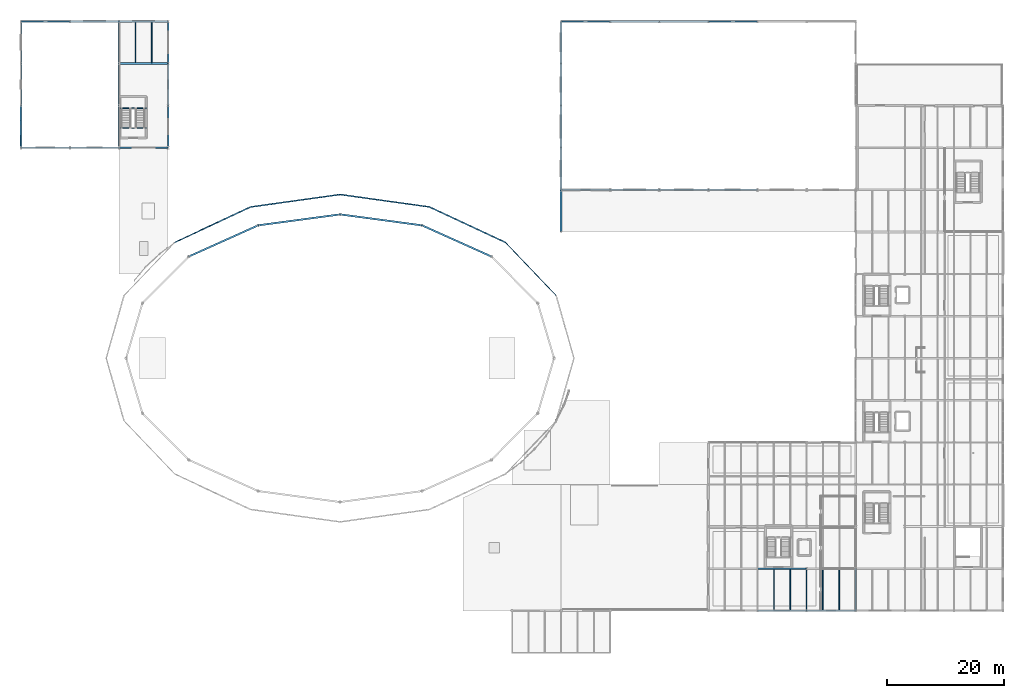
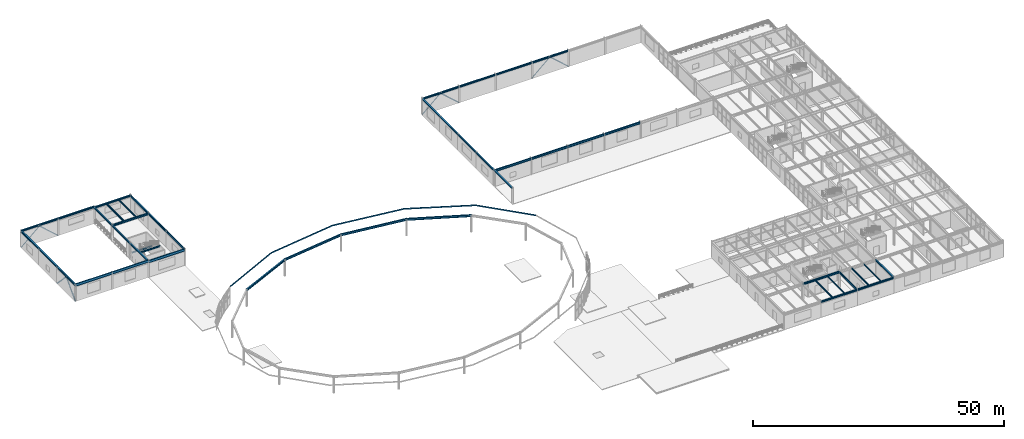
# One storey, part 29 of 73: 51 beams, 8 members.
"""IFC4 building model written with IfcOpenShell, lengths in metres."""

from ifc_helpers import new_model, si_unit, derived_unit, direction, frame, origin, origin_2d, place, context, subcontext, project, spatial, hollow_rectangle, i_section, extrude, material, material_profile, profile_set, type_object, element, save


model = new_model("IFC4")

# Units and contexts
model_context = context("Model", 3, precision=1e-05, world=origin(), true_north=direction((0.0, 1.0)))
body_context = subcontext(model_context, "Body", "Model", "MODEL_VIEW")
ifc_project = project(units=[si_unit("LENGTHUNIT", "METRE"), si_unit("AREAUNIT", "SQUARE_METRE"), si_unit("VOLUMEUNIT", "CUBIC_METRE"), si_unit("PLANEANGLEUNIT", "RADIAN"), si_unit("MASSUNIT", "GRAM", prefix="KILO"), derived_unit("THERMALTRANSMITTANCEUNIT", [(si_unit("MASSUNIT", "GRAM", prefix="KILO"), 1), (si_unit("TIMEUNIT", "SECOND"), -3), (si_unit("THERMODYNAMICTEMPERATUREUNIT", "KELVIN"), -1)])], contexts=[model_context])

# Site, building, storey
site_placement = place(None, origin())
site = spatial("IfcSite", under=ifc_project, at=site_placement, CompositionType="ELEMENT")
building_placement = place(site_placement, origin())
building = spatial("IfcBuilding", under=site, at=building_placement, Name="Kharveza Railside Sports Centre", CompositionType="ELEMENT")
storey_placement = place(building_placement, frame((0.0, 0.0, 8.699951171875)))
storey = spatial("IfcBuildingStorey", under=building, at=storey_placement, Name="L02", CompositionType="ELEMENT", Elevation=8.699951171875)

# Beams
ifc_material = material(Name="Steel S355J2", Category="steel")
ifc_material_profile_1 = material_profile(ifc_material, i_section(OverallWidth=0.219970703125, OverallDepth=0.60009765625, WebThickness=0.011962890625, FlangeThickness=0.01904296875, FilletRadius=0.02392578125, at=origin_2d()), Name="IPE 600")
ifc_profile_set_1 = profile_set([ifc_material_profile_1], Name="Steel S355J2")
beam_type_1 = type_object("IfcBeamType", Name="BM-G01", PredefinedType="T_BEAM", material=ifc_profile_set_1)
beam_1_placement = place(storey_placement, frame((0.0, 86.39990234375, 3.900146484375), z_axis=(1.0, 0.0, 0.0), x_axis=(0.0, 1.0, 0.0)))
element("IfcBeam", 1, at=beam_1_placement, inside=storey, type_object=beam_type_1, Name="BM-EW-L02-B01-X0-Y864", PredefinedType="T_BEAM", context=body_context, shape_type="SweptSolid", body=[
    extrude(i_section(OverallWidth=0.219970703125, OverallDepth=0.60009765625, WebThickness=0.011962890625, FlangeThickness=0.01904296875, FilletRadius=0.02392578125, at=origin_2d()), origin(), (0.0, 0.0, 1.0), 8.39990234375),
])
beam_2_placement = place(storey_placement, frame((8.39990234375, 86.39990234375, 3.900146484375), z_axis=(1.0, 0.0, 0.0), x_axis=(0.0, 1.0, 0.0)))
element("IfcBeam", 2, at=beam_2_placement, inside=storey, type_object=beam_type_1, Name="BM-EW-L02-B01-X84-Y864", PredefinedType="T_BEAM", context=body_context, shape_type="SweptSolid", body=[
    extrude(i_section(OverallWidth=0.219970703125, OverallDepth=0.60009765625, WebThickness=0.011962890625, FlangeThickness=0.01904296875, FilletRadius=0.02392578125, at=origin_2d()), origin(), (0.0, 0.0, 1.0), 8.400146484375),
])
beam_3_placement = place(storey_placement, frame((16.800048828125, 86.39990234375, 3.699951171875), z_axis=(1.0, 0.0, 0.0), x_axis=(0.0, 1.0, 0.0)))
element("IfcBeam", 3, at=beam_3_placement, inside=storey, type_object=beam_type_1, Name="BM-EW-L02-B01-X168-Y864", PredefinedType="T_BEAM", context=body_context, shape_type="SweptSolid", body=[
    extrude(i_section(OverallWidth=0.219970703125, OverallDepth=0.60009765625, WebThickness=0.011962890625, FlangeThickness=0.01904296875, FilletRadius=0.02392578125, at=origin_2d()), origin(), (0.0, 0.0, 1.0), 8.39990234375),
])
ifc_material_profile_2 = material_profile(ifc_material, i_section(OverallWidth=0.199951171875, OverallDepth=0.5, WebThickness=0.01025390625, FlangeThickness=0.01611328125, FilletRadius=0.02099609375, at=origin_2d()), Name="IPE 500")
ifc_profile_set_2 = profile_set([ifc_material_profile_2], Name="Steel S355J2")
beam_type_2 = type_object("IfcBeamType", Name="BM-G03", PredefinedType="T_BEAM", material=ifc_profile_set_2)
beam_4_placement = place(storey_placement, frame((25.199951171875, 86.39990234375, 3.75), z_axis=(0.0, 1.0, 0.0), x_axis=(-1.0, 0.0, 0.0)))
element("IfcBeam", 4, at=beam_4_placement, inside=storey, type_object=beam_type_2, Name="BM-NS-L02-B03-X252-Y864", PredefinedType="T_BEAM", context=body_context, shape_type="SweptSolid", body=[
    extrude(i_section(OverallWidth=0.199951171875, OverallDepth=0.5, WebThickness=0.01025390625, FlangeThickness=0.01611328125, FilletRadius=0.02099609375, at=origin_2d()), origin(), (0.0, 0.0, 1.0), 7.2001953125),
])
for number, where, z_axis, x_axis, name in (
    (5, (25.199951171875, 93.60009765625, 3.75), (0.0, 1.0, 0.0), (-1.0, 0.0, 0.0), "BM-NS-L02-B03-X252-Y936"),
    (6, (25.199951171875, 100.800048828125, 3.75), (0.0, 1.0, 0.0), (-1.0, 0.0, 0.0), "BM-NS-L02-B03-X252-Y1008"),
):
    element("IfcBeam", number, at=place(storey_placement, frame(where, z_axis=z_axis, x_axis=x_axis)), inside=storey, type_object=beam_type_2, Name=name, PredefinedType="T_BEAM", context=body_context, shape_type="SweptSolid", body=[
        extrude(i_section(OverallWidth=0.199951171875, OverallDepth=0.5, WebThickness=0.01025390625, FlangeThickness=0.01611328125, FilletRadius=0.02099609375, at=origin_2d()), origin(), (0.0, 0.0, 1.0), 7.199951171875),
    ])
ifc_material_profile_3 = material_profile(ifc_material, i_section(OverallWidth=0.18994140625, OverallDepth=0.449951171875, WebThickness=0.009521484375, FlangeThickness=0.0146484375, FilletRadius=0.02099609375, at=origin_2d()), Name="IPE 450")
ifc_profile_set_3 = profile_set([ifc_material_profile_3], Name="Steel S355J2")
beam_type_3 = type_object("IfcBeamType", Name="BM-G04", PredefinedType="T_BEAM", material=ifc_profile_set_3)
beam_5_placement = place(storey_placement, frame((134.39990234375, 7.199951171875, 3.695068359375), z_axis=(0.0, 1.0, 0.0), x_axis=(-1.0, 0.0, 0.0)))
element("IfcBeam", 7, at=beam_5_placement, inside=storey, type_object=beam_type_3, Name="BM-NS-L02-B04-X1344-Y72", PredefinedType="T_BEAM", context=body_context, shape_type="SweptSolid", body=[
    extrude(i_section(OverallWidth=0.18994140625, OverallDepth=0.449951171875, WebThickness=0.009521484375, FlangeThickness=0.0146484375, FilletRadius=0.02099609375, at=origin_2d()), origin(), (0.0, 0.0, 1.0), 7.199951171875),
])
ifc_material_profile_4 = material_profile(ifc_material, i_section(OverallWidth=0.300048828125, OverallDepth=0.5, WebThickness=0.014404296875, FlangeThickness=0.028076171875, FilletRadius=0.027099609375, at=origin_2d()), Name="HEB 500")
ifc_profile_set_4 = profile_set([ifc_material_profile_4], Name="Steel S355J2")
beam_type_4 = type_object("IfcBeamType", Name="BM-G05", PredefinedType="T_BEAM", material=ifc_profile_set_4)
beam_6_placement = place(storey_placement, frame((92.39990234375, 79.199951171875, 3.75), z_axis=(1.0, 0.0, 0.0), x_axis=(0.0, 1.0, 0.0)))
element("IfcBeam", 8, at=beam_6_placement, inside=storey, type_object=beam_type_4, Name="BM-EW-L02-B05-X924-Y792", PredefinedType="T_BEAM", context=body_context, shape_type="SweptSolid", body=[
    extrude(i_section(OverallWidth=0.300048828125, OverallDepth=0.5, WebThickness=0.014404296875, FlangeThickness=0.028076171875, FilletRadius=0.027099609375, at=origin_2d()), origin(), (0.0, 0.0, 1.0), 8.400146484375),
])
beam_7_placement = place(storey_placement, frame((100.800048828125, 79.199951171875, 3.75), z_axis=(1.0, 0.0, 0.0), x_axis=(0.0, 1.0, 0.0)))
element("IfcBeam", 9, at=beam_7_placement, inside=storey, type_object=beam_type_4, Name="BM-EW-L02-B05-X1008-Y792", PredefinedType="T_BEAM", context=body_context, shape_type="SweptSolid", body=[
    extrude(i_section(OverallWidth=0.300048828125, OverallDepth=0.5, WebThickness=0.014404296875, FlangeThickness=0.028076171875, FilletRadius=0.027099609375, at=origin_2d()), origin(), (0.0, 0.0, 1.0), 8.39990234375),
])
beam_8_placement = place(storey_placement, frame((109.199951171875, 79.199951171875, 3.75), z_axis=(1.0, 0.0, 0.0), x_axis=(0.0, 1.0, 0.0)))
element("IfcBeam", 10, at=beam_8_placement, inside=storey, type_object=beam_type_4, Name="BM-EW-L02-B05-X1092-Y792", PredefinedType="T_BEAM", context=body_context, shape_type="SweptSolid", body=[
    extrude(i_section(OverallWidth=0.300048828125, OverallDepth=0.5, WebThickness=0.014404296875, FlangeThickness=0.028076171875, FilletRadius=0.027099609375, at=origin_2d()), origin(), (0.0, 0.0, 1.0), 8.400146484375),
])
beam_9_placement = place(storey_placement, frame((117.60009765625, 79.199951171875, 3.75), z_axis=(1.0, 0.0, 0.0), x_axis=(0.0, 1.0, 0.0)))
element("IfcBeam", 11, at=beam_9_placement, inside=storey, type_object=beam_type_4, Name="BM-EW-L02-B05-X1176-Y792", PredefinedType="T_BEAM", context=body_context, shape_type="SweptSolid", body=[
    extrude(i_section(OverallWidth=0.300048828125, OverallDepth=0.5, WebThickness=0.014404296875, FlangeThickness=0.028076171875, FilletRadius=0.027099609375, at=origin_2d()), origin(), (0.0, 0.0, 1.0), 8.39990234375),
])
ifc_material_profile_5 = material_profile(ifc_material, i_section(OverallWidth=0.300048828125, OverallDepth=0.449951171875, WebThickness=0.013916015625, FlangeThickness=0.02587890625, FilletRadius=0.027099609375, at=origin_2d()), Name="HEB 450")
ifc_profile_set_5 = profile_set([ifc_material_profile_5], Name="Steel S355J2")
beam_type_5 = type_object("IfcBeamType", Name="BM-G06", PredefinedType="T_BEAM", material=ifc_profile_set_5)
for number, where, z_axis, x_axis, name in (
    (12, (16.800048828125, 100.800048828125, 3.775146484375), (1.0, 0.0, 0.0), (0.0, 1.0, 0.0), "BM-EW-L02-B06-X168-Y1008"),
    (13, (126.0, 14.39990234375, 3.695068359375), (1.0, 0.0, 0.0), (0.0, 1.0, 0.0), "BM-EW-L02-B06-X1260-Y144"),
):
    element("IfcBeam", number, at=place(storey_placement, frame(where, z_axis=z_axis, x_axis=x_axis)), inside=storey, type_object=beam_type_5, Name=name, PredefinedType="T_BEAM", context=body_context, shape_type="SweptSolid", body=[
        extrude(i_section(OverallWidth=0.300048828125, OverallDepth=0.449951171875, WebThickness=0.013916015625, FlangeThickness=0.02587890625, FilletRadius=0.027099609375, at=origin_2d()), origin(), (0.0, 0.0, 1.0), 8.39990234375),
    ])
ifc_material_profile_6 = material_profile(ifc_material, i_section(OverallWidth=0.300048828125, OverallDepth=0.489990234375, WebThickness=0.011962890625, FlangeThickness=0.02294921875, FilletRadius=0.027099609375, at=origin_2d()), Name="HEA 500")
ifc_profile_set_6 = profile_set([ifc_material_profile_6], Name="Steel S355J2")
beam_type_6 = type_object("IfcBeamType", Name="BM-G08", PredefinedType="T_BEAM", material=ifc_profile_set_6)
beam_10_placement = place(storey_placement, frame((80.47998046875, 67.794921875, 3.949951171875), z_axis=(-0.912228335917, 0.409682148928, 0.0), x_axis=(-0.409682148928, -0.912228335917, 0.0)))
element("IfcBeam", 14, at=beam_10_placement, inside=storey, type_object=beam_type_6, Name="BM-DRING-L02-03", PredefinedType="T_BEAM", context=body_context, shape_type="SweptSolid", body=[
    extrude(i_section(OverallWidth=0.300048828125, OverallDepth=0.489990234375, WebThickness=0.011962890625, FlangeThickness=0.02294921875, FilletRadius=0.027099609375, at=origin_2d()), origin(), (0.0, 0.0, 1.0), 13.016357421875),
])
beam_11_placement = place(storey_placement, frame((68.606201171875, 73.12744140625, 3.949951171875), z_axis=(-0.99118075907, 0.132516802142, 0.0), x_axis=(-0.132516802142, -0.99118075907, 0.0)))
element("IfcBeam", 15, at=beam_11_placement, inside=storey, type_object=beam_type_6, Name="BM-DRING-L02-04", PredefinedType="T_BEAM", context=body_context, shape_type="SweptSolid", body=[
    extrude(i_section(OverallWidth=0.300048828125, OverallDepth=0.489990234375, WebThickness=0.011962890625, FlangeThickness=0.02294921875, FilletRadius=0.027099609375, at=origin_2d()), origin(), (0.0, 0.0, 1.0), 14.130615234375),
])
beam_12_placement = place(storey_placement, frame((54.60009765625, 75.0, 3.949951171875), z_axis=(-0.991181062463, -0.132514532841, 0.0), x_axis=(0.132514532841, -0.991181062463, 0.0)))
element("IfcBeam", 16, at=beam_12_placement, inside=storey, type_object=beam_type_6, Name="BM-DRING-L02-05", PredefinedType="T_BEAM", context=body_context, shape_type="SweptSolid", body=[
    extrude(i_section(OverallWidth=0.300048828125, OverallDepth=0.489990234375, WebThickness=0.011962890625, FlangeThickness=0.02294921875, FilletRadius=0.027099609375, at=origin_2d()), origin(), (0.0, 0.0, 1.0), 14.130859375),
])
beam_13_placement = place(storey_placement, frame((40.59375, 73.12744140625, 3.949951171875), z_axis=(-0.912228335917, -0.409682148928, 0.0), x_axis=(0.409682148928, -0.912228335917, 0.0)))
element("IfcBeam", 17, at=beam_13_placement, inside=storey, type_object=beam_type_6, Name="BM-DRING-L02-06", PredefinedType="T_BEAM", context=body_context, shape_type="SweptSolid", body=[
    extrude(i_section(OverallWidth=0.300048828125, OverallDepth=0.489990234375, WebThickness=0.011962890625, FlangeThickness=0.02294921875, FilletRadius=0.027099609375, at=origin_2d()), origin(), (0.0, 0.0, 1.0), 13.016357421875),
])
ifc_material_profile_7 = material_profile(ifc_material, i_section(OverallWidth=0.179931640625, OverallDepth=0.39990234375, WebThickness=0.008544921875, FlangeThickness=0.013427734375, FilletRadius=0.02099609375, at=origin_2d()), Name="IPE 400")
ifc_profile_set_7 = profile_set([ifc_material_profile_7], Name="Steel S355J2")
beam_type_7 = type_object("IfcBeamType", Name="BM-S01", PredefinedType="BEAM", material=ifc_profile_set_7)
for number, where, z_axis, x_axis, name in (
    (18, (19.60009765625, 100.947021484375, 3.800048828125), (0.0, 1.0, 0.0), (-1.0, 0.0, 0.0), "BM-SEC-L02-B09-X196-Y1008"),
    (19, (128.800048828125, 7.346923828125, 3.719970703125), (0.0, 1.0, 0.0), (-1.0, 0.0, 0.0), "BM-SEC-L02-B09-X1288-Y72"),
):
    element("IfcBeam", number, at=place(storey_placement, frame(where, z_axis=z_axis, x_axis=x_axis)), inside=storey, type_object=beam_type_7, Name=name, PredefinedType="BEAM", context=body_context, shape_type="SweptSolid", body=[
        extrude(i_section(OverallWidth=0.179931640625, OverallDepth=0.39990234375, WebThickness=0.008544921875, FlangeThickness=0.013427734375, FilletRadius=0.02099609375, at=origin_2d()), origin(), (0.0, 0.0, 1.0), 6.906005859375),
    ])
ifc_material_profile_8 = material_profile(ifc_material, i_section(OverallWidth=0.169921875, OverallDepth=0.360107421875, WebThickness=0.008056640625, FlangeThickness=0.0126953125, FilletRadius=0.01806640625, at=origin_2d()), Name="IPE 360")
ifc_profile_set_8 = profile_set([ifc_material_profile_8], Name="Steel S355J2")
beam_type_8 = type_object("IfcBeamType", Name="BM-S02", PredefinedType="BEAM", material=ifc_profile_set_8)
beam_14_placement = place(storey_placement, frame((137.199951171875, 7.346923828125, 3.739990234375), z_axis=(0.0, 1.0, 0.0), x_axis=(-1.0, 0.0, 0.0)))
element("IfcBeam", 20, at=beam_14_placement, inside=storey, type_object=beam_type_8, Name="BM-SEC-L02-B10-X1372-Y72", PredefinedType="BEAM", context=body_context, shape_type="SweptSolid", body=[
    extrude(i_section(OverallWidth=0.169921875, OverallDepth=0.360107421875, WebThickness=0.008056640625, FlangeThickness=0.0126953125, FilletRadius=0.01806640625, at=origin_2d()), origin(), (0.0, 0.0, 1.0), 6.906005859375),
])
ifc_material_profile_9 = material_profile(ifc_material, i_section(OverallWidth=0.159912109375, OverallDepth=0.330078125, WebThickness=0.007568359375, FlangeThickness=0.011474609375, FilletRadius=0.01806640625, at=origin_2d()), Name="IPE 330")
ifc_profile_set_9 = profile_set([ifc_material_profile_9], Name="Steel S355J2")
beam_type_9 = type_object("IfcBeamType", Name="BM-S03", PredefinedType="BEAM", material=ifc_profile_set_9)
for number, where, z_axis, x_axis, name in (
    (21, (22.39990234375, 100.947021484375, 3.8349609375), (0.0, 1.0, 0.0), (-1.0, 0.0, 0.0), "BM-SEC-L02-B11-X224-Y1008"),
    (22, (131.60009765625, 7.346923828125, 3.755126953125), (0.0, 1.0, 0.0), (-1.0, 0.0, 0.0), "BM-SEC-L02-B11-X1316-Y72"),
):
    element("IfcBeam", number, at=place(storey_placement, frame(where, z_axis=z_axis, x_axis=x_axis)), inside=storey, type_object=beam_type_9, Name=name, PredefinedType="BEAM", context=body_context, shape_type="SweptSolid", body=[
        extrude(i_section(OverallWidth=0.159912109375, OverallDepth=0.330078125, WebThickness=0.007568359375, FlangeThickness=0.011474609375, FilletRadius=0.01806640625, at=origin_2d()), origin(), (0.0, 0.0, 1.0), 6.906005859375),
    ])
ifc_material_profile_10 = material_profile(ifc_material, i_section(OverallWidth=0.14990234375, OverallDepth=0.300048828125, WebThickness=0.007080078125, FlangeThickness=0.0107421875, FilletRadius=0.014892578125, at=origin_2d()), Name="IPE 300")
ifc_profile_set_10 = profile_set([ifc_material_profile_10], Name="Steel S355J2")
beam_type_10 = type_object("IfcBeamType", Name="BM-S04", PredefinedType="BEAM", material=ifc_profile_set_10)
beam_15_placement = place(storey_placement, frame((140.0, 7.346923828125, 3.77001953125), z_axis=(0.0, 1.0, 0.0), x_axis=(-1.0, 0.0, 0.0)))
element("IfcBeam", 23, at=beam_15_placement, inside=storey, type_object=beam_type_10, Name="BM-SEC-L02-B12-X1400-Y72", PredefinedType="BEAM", context=body_context, shape_type="SweptSolid", body=[
    extrude(i_section(OverallWidth=0.14990234375, OverallDepth=0.300048828125, WebThickness=0.007080078125, FlangeThickness=0.0107421875, FilletRadius=0.014892578125, at=origin_2d()), origin(), (0.0, 0.0, 1.0), 6.906005859375),
])
ifc_material_profile_11 = material_profile(ifc_material, i_section(OverallWidth=0.135009765625, OverallDepth=0.27001953125, WebThickness=0.006591796875, FlangeThickness=0.01025390625, FilletRadius=0.014892578125, at=origin_2d()), Name="IPE 270")
ifc_profile_set_11 = profile_set([ifc_material_profile_11], Name="Steel S355J2")
beam_type_11 = type_object("IfcBeamType", Name="BM-S05", PredefinedType="BEAM", material=ifc_profile_set_11)
for number, where, z_axis, x_axis, name in (
    (24, (16.97998046875, 93.169921875, 1.780029296875), (1.0, 0.0, 0.0), (0.0, 1.0, 0.0), "BM-HLND-ST6-L02"),
    (25, (16.97998046875, 89.760009765625, 3.880126953125), (1.0, 0.0, 0.0), (0.0, 1.0, 0.0), "BM-STLND-ST6-L03"),
):
    element("IfcBeam", number, at=place(storey_placement, frame(where, z_axis=z_axis, x_axis=x_axis)), inside=storey, type_object=beam_type_11, Name=name, PredefinedType="BEAM", context=body_context, shape_type="SweptSolid", body=[
        extrude(i_section(OverallWidth=0.135009765625, OverallDepth=0.27001953125, WebThickness=0.006591796875, FlangeThickness=0.01025390625, FilletRadius=0.014892578125, at=origin_2d()), origin(), (0.0, 0.0, 1.0), 4.43994140625),
    ])
ifc_material_profile_12 = material_profile(ifc_material, i_section(OverallWidth=0.300048828125, OverallDepth=0.31005859375, WebThickness=0.009033203125, FlangeThickness=0.015380859375, FilletRadius=0.027099609375, at=origin_2d()), Name="HEA 320")
ifc_profile_set_12 = profile_set([ifc_material_profile_12], Name="Steel S355J2")
beam_type_12 = type_object("IfcBeamType", Name="BM-S06", PredefinedType="BEAM", material=ifc_profile_set_12)
beam_16_placement = place(storey_placement, frame((16.800048828125, 86.39990234375, 3.844970703125), z_axis=(0.0, 1.0, 0.0), x_axis=(-1.0, 0.0, 0.0)))
element("IfcBeam", 26, at=beam_16_placement, inside=storey, type_object=beam_type_12, Name="BM-NS-L02-B14-X168-Y864", PredefinedType="BEAM", context=body_context, shape_type="SweptSolid", body=[
    extrude(i_section(OverallWidth=0.300048828125, OverallDepth=0.31005859375, WebThickness=0.009033203125, FlangeThickness=0.015380859375, FilletRadius=0.027099609375, at=origin_2d()), origin(), (0.0, 0.0, 1.0), 7.2001953125),
])
for number, where, z_axis, x_axis, name in (
    (27, (16.800048828125, 93.60009765625, 3.844970703125), (0.0, 1.0, 0.0), (-1.0, 0.0, 0.0), "BM-NS-L02-B14-X168-Y936"),
    (28, (16.800048828125, 100.800048828125, 3.844970703125), (0.0, 1.0, 0.0), (-1.0, 0.0, 0.0), "BM-NS-L02-B14-X168-Y1008"),
    (29, (92.39990234375, 72.0, 3.844970703125), (0.0, 1.0, 0.0), (-1.0, 0.0, 0.0), "BM-NS-L02-B14-X924-Y720"),
    (30, (92.39990234375, 79.199951171875, 3.844970703125), (0.0, 1.0, 0.0), (-1.0, 0.0, 0.0), "BM-NS-L02-B14-X924-Y792"),
):
    element("IfcBeam", number, at=place(storey_placement, frame(where, z_axis=z_axis, x_axis=x_axis)), inside=storey, type_object=beam_type_12, Name=name, PredefinedType="BEAM", context=body_context, shape_type="SweptSolid", body=[
        extrude(i_section(OverallWidth=0.300048828125, OverallDepth=0.31005859375, WebThickness=0.009033203125, FlangeThickness=0.015380859375, FilletRadius=0.027099609375, at=origin_2d()), origin(), (0.0, 0.0, 1.0), 7.199951171875),
    ])
beam_17_placement = place(storey_placement, frame((92.39990234375, 86.39990234375, 3.844970703125), z_axis=(0.0, 1.0, 0.0), x_axis=(-1.0, 0.0, 0.0)))
element("IfcBeam", 31, at=beam_17_placement, inside=storey, type_object=beam_type_12, Name="BM-NS-L02-B14-X924-Y864", PredefinedType="BEAM", context=body_context, shape_type="SweptSolid", body=[
    extrude(i_section(OverallWidth=0.300048828125, OverallDepth=0.31005859375, WebThickness=0.009033203125, FlangeThickness=0.015380859375, FilletRadius=0.027099609375, at=origin_2d()), origin(), (0.0, 0.0, 1.0), 7.2001953125),
])
for number, where, z_axis, x_axis, name in (
    (32, (92.39990234375, 93.60009765625, 3.844970703125), (0.0, 1.0, 0.0), (-1.0, 0.0, 0.0), "BM-NS-L02-B14-X924-Y936"),
    (33, (92.39990234375, 100.800048828125, 3.844970703125), (0.0, 1.0, 0.0), (-1.0, 0.0, 0.0), "BM-NS-L02-B14-X924-Y1008"),
    (34, (142.800048828125, 7.199951171875, 3.76513671875), (0.0, 1.0, 0.0), (-1.0, 0.0, 0.0), "BM-NS-L02-B14-X1428-Y72"),
):
    element("IfcBeam", number, at=place(storey_placement, frame(where, z_axis=z_axis, x_axis=x_axis)), inside=storey, type_object=beam_type_12, Name=name, PredefinedType="BEAM", context=body_context, shape_type="SweptSolid", body=[
        extrude(i_section(OverallWidth=0.300048828125, OverallDepth=0.31005859375, WebThickness=0.009033203125, FlangeThickness=0.015380859375, FilletRadius=0.027099609375, at=origin_2d()), origin(), (0.0, 0.0, 1.0), 7.199951171875),
    ])
ifc_material_profile_13 = material_profile(ifc_material, i_section(OverallWidth=0.300048828125, OverallDepth=0.43994140625, WebThickness=0.011474609375, FlangeThickness=0.02099609375, FilletRadius=0.027099609375, at=origin_2d()), Name="HEA 450")
ifc_profile_set_13 = profile_set([ifc_material_profile_13], Name="Steel S355J2")
beam_type_13 = type_object("IfcBeamType", Name="BM-SP01", PredefinedType="SPANDREL", material=ifc_profile_set_13)
beam_18_placement = place(storey_placement, frame((0.0, 86.39990234375, 3.97998046875), z_axis=(0.0, 1.0, 0.0), x_axis=(-1.0, 0.0, 0.0)))
element("IfcBeam", 35, at=beam_18_placement, inside=storey, type_object=beam_type_13, Name="BM-NS-L02-B15-X0-Y864", PredefinedType="SPANDREL", context=body_context, shape_type="SweptSolid", body=[
    extrude(i_section(OverallWidth=0.300048828125, OverallDepth=0.43994140625, WebThickness=0.011474609375, FlangeThickness=0.02099609375, FilletRadius=0.027099609375, at=origin_2d()), origin(), (0.0, 0.0, 1.0), 7.2001953125),
])
for number, where, z_axis, x_axis, name in (
    (36, (0.0, 93.60009765625, 3.97998046875), (0.0, 1.0, 0.0), (-1.0, 0.0, 0.0), "BM-NS-L02-B15-X0-Y936"),
    (37, (0.0, 100.800048828125, 3.97998046875), (0.0, 1.0, 0.0), (-1.0, 0.0, 0.0), "BM-NS-L02-B15-X0-Y1008"),
):
    element("IfcBeam", number, at=place(storey_placement, frame(where, z_axis=z_axis, x_axis=x_axis)), inside=storey, type_object=beam_type_13, Name=name, PredefinedType="SPANDREL", context=body_context, shape_type="SweptSolid", body=[
        extrude(i_section(OverallWidth=0.300048828125, OverallDepth=0.43994140625, WebThickness=0.011474609375, FlangeThickness=0.02099609375, FilletRadius=0.027099609375, at=origin_2d()), origin(), (0.0, 0.0, 1.0), 7.199951171875),
    ])
ifc_material_profile_14 = material_profile(ifc_material, i_section(OverallWidth=0.300048828125, OverallDepth=0.389892578125, WebThickness=0.010986328125, FlangeThickness=0.01904296875, FilletRadius=0.027099609375, at=origin_2d()), Name="HEA 400")
ifc_profile_set_14 = profile_set([ifc_material_profile_14], Name="Steel S355J2")
beam_type_14 = type_object("IfcBeamType", Name="BM-SP02", PredefinedType="SPANDREL", material=ifc_profile_set_14)
beam_19_placement = place(storey_placement, frame((0.0, 108.0, 4.005126953125), z_axis=(1.0, 0.0, 0.0), x_axis=(0.0, 1.0, 0.0)))
element("IfcBeam", 38, at=beam_19_placement, inside=storey, type_object=beam_type_14, Name="BM-EW-L02-B16-X0-Y1080", PredefinedType="SPANDREL", context=body_context, shape_type="SweptSolid", body=[
    extrude(i_section(OverallWidth=0.300048828125, OverallDepth=0.389892578125, WebThickness=0.010986328125, FlangeThickness=0.01904296875, FilletRadius=0.027099609375, at=origin_2d()), origin(), (0.0, 0.0, 1.0), 8.39990234375),
])
beam_20_placement = place(storey_placement, frame((8.39990234375, 108.0, 4.005126953125), z_axis=(1.0, 0.0, 0.0), x_axis=(0.0, 1.0, 0.0)))
element("IfcBeam", 39, at=beam_20_placement, inside=storey, type_object=beam_type_14, Name="BM-EW-L02-B16-X84-Y1080", PredefinedType="SPANDREL", context=body_context, shape_type="SweptSolid", body=[
    extrude(i_section(OverallWidth=0.300048828125, OverallDepth=0.389892578125, WebThickness=0.010986328125, FlangeThickness=0.01904296875, FilletRadius=0.027099609375, at=origin_2d()), origin(), (0.0, 0.0, 1.0), 8.400146484375),
])
beam_21_placement = place(storey_placement, frame((16.800048828125, 108.0, 3.804931640625), z_axis=(1.0, 0.0, 0.0), x_axis=(0.0, 1.0, 0.0)))
element("IfcBeam", 40, at=beam_21_placement, inside=storey, type_object=beam_type_14, Name="BM-EW-L02-B16-X168-Y1080", PredefinedType="SPANDREL", context=body_context, shape_type="SweptSolid", body=[
    extrude(i_section(OverallWidth=0.300048828125, OverallDepth=0.389892578125, WebThickness=0.010986328125, FlangeThickness=0.01904296875, FilletRadius=0.027099609375, at=origin_2d()), origin(), (0.0, 0.0, 1.0), 8.39990234375),
])
beam_22_placement = place(storey_placement, frame((92.39990234375, 108.0, 3.804931640625), z_axis=(1.0, 0.0, 0.0), x_axis=(0.0, 1.0, 0.0)))
element("IfcBeam", 41, at=beam_22_placement, inside=storey, type_object=beam_type_14, Name="BM-EW-L02-B16-X924-Y1080", PredefinedType="SPANDREL", context=body_context, shape_type="SweptSolid", body=[
    extrude(i_section(OverallWidth=0.300048828125, OverallDepth=0.389892578125, WebThickness=0.010986328125, FlangeThickness=0.01904296875, FilletRadius=0.027099609375, at=origin_2d()), origin(), (0.0, 0.0, 1.0), 8.400146484375),
])
beam_23_placement = place(storey_placement, frame((100.800048828125, 108.0, 3.804931640625), z_axis=(1.0, 0.0, 0.0), x_axis=(0.0, 1.0, 0.0)))
element("IfcBeam", 42, at=beam_23_placement, inside=storey, type_object=beam_type_14, Name="BM-EW-L02-B16-X1008-Y1080", PredefinedType="SPANDREL", context=body_context, shape_type="SweptSolid", body=[
    extrude(i_section(OverallWidth=0.300048828125, OverallDepth=0.389892578125, WebThickness=0.010986328125, FlangeThickness=0.01904296875, FilletRadius=0.027099609375, at=origin_2d()), origin(), (0.0, 0.0, 1.0), 8.39990234375),
])
beam_24_placement = place(storey_placement, frame((109.199951171875, 108.0, 3.804931640625), z_axis=(1.0, 0.0, 0.0), x_axis=(0.0, 1.0, 0.0)))
element("IfcBeam", 43, at=beam_24_placement, inside=storey, type_object=beam_type_14, Name="BM-EW-L02-B16-X1092-Y1080", PredefinedType="SPANDREL", context=body_context, shape_type="SweptSolid", body=[
    extrude(i_section(OverallWidth=0.300048828125, OverallDepth=0.389892578125, WebThickness=0.010986328125, FlangeThickness=0.01904296875, FilletRadius=0.027099609375, at=origin_2d()), origin(), (0.0, 0.0, 1.0), 8.400146484375),
])
for number, where, z_axis, x_axis, name in (
    (44, (117.60009765625, 108.0, 3.804931640625), (1.0, 0.0, 0.0), (0.0, 1.0, 0.0), "BM-EW-L02-B16-X1176-Y1080"),
    (45, (126.0, 7.199951171875, 3.72509765625), (1.0, 0.0, 0.0), (0.0, 1.0, 0.0), "BM-EW-L02-B16-X1260-Y72"),
):
    element("IfcBeam", number, at=place(storey_placement, frame(where, z_axis=z_axis, x_axis=x_axis)), inside=storey, type_object=beam_type_14, Name=name, PredefinedType="SPANDREL", context=body_context, shape_type="SweptSolid", body=[
        extrude(i_section(OverallWidth=0.300048828125, OverallDepth=0.389892578125, WebThickness=0.010986328125, FlangeThickness=0.01904296875, FilletRadius=0.027099609375, at=origin_2d()), origin(), (0.0, 0.0, 1.0), 8.39990234375),
    ])
beam_25_placement = place(storey_placement, frame((134.39990234375, 7.199951171875, 3.72509765625), z_axis=(1.0, 0.0, 0.0), x_axis=(0.0, 1.0, 0.0)))
element("IfcBeam", 46, at=beam_25_placement, inside=storey, type_object=beam_type_14, Name="BM-EW-L02-B16-X1344-Y72", PredefinedType="SPANDREL", context=body_context, shape_type="SweptSolid", body=[
    extrude(i_section(OverallWidth=0.300048828125, OverallDepth=0.389892578125, WebThickness=0.010986328125, FlangeThickness=0.01904296875, FilletRadius=0.027099609375, at=origin_2d()), origin(), (0.0, 0.0, 1.0), 8.400146484375),
])
ifc_material_profile_15 = material_profile(ifc_material, hollow_rectangle(XDim=0.14990234375, YDim=0.300048828125, WallThickness=0.012451171875, InnerFilletRadius=0.012451171875, OuterFilletRadius=0.02490234375, at=origin_2d()), Name="RHS 150x300x12.5")
ifc_profile_set_15 = profile_set([ifc_material_profile_15], Name="Steel S355J2")
beam_type_15 = type_object("IfcBeamType", Name="BM-SP03", PredefinedType="SPANDREL", material=ifc_profile_set_15)
beam_26_placement = place(storey_placement, frame((91.55517578125, 61.115234375, 4.150146484375), z_axis=(-0.69047805862, 0.723353337287, 0.0), x_axis=(-0.723353337287, -0.69047805862, 0.0)))
element("IfcBeam", 47, at=beam_26_placement, inside=storey, type_object=beam_type_15, Name="BM-DCLER-HEAD-02", PredefinedType="SPANDREL", context=body_context, shape_type="SweptSolid", body=[
    extrude(hollow_rectangle(XDim=0.14990234375, YDim=0.300048828125, WallThickness=0.012451171875, InnerFilletRadius=0.012451171875, OuterFilletRadius=0.02490234375, at=origin_2d()), origin(), (0.0, 0.0, 1.0), 12.557861328125),
])
beam_27_placement = place(storey_placement, frame((82.88427734375, 70.198974609375, 4.150146484375), z_axis=(-0.905818403769, 0.423666165032, 0.0), x_axis=(-0.423666165032, -0.905818403769, 0.0)))
element("IfcBeam", 48, at=beam_27_placement, inside=storey, type_object=beam_type_15, Name="BM-DCLER-HEAD-03", PredefinedType="SPANDREL", context=body_context, shape_type="SweptSolid", body=[
    extrude(hollow_rectangle(XDim=0.14990234375, YDim=0.300048828125, WallThickness=0.012451171875, InnerFilletRadius=0.012451171875, OuterFilletRadius=0.02490234375, at=origin_2d()), origin(), (0.0, 0.0, 1.0), 14.326416015625),
])
beam_28_placement = place(storey_placement, frame((69.9072265625, 76.2685546875, 4.150146484375), z_axis=(-0.990444979025, 0.137908460667, 0.0), x_axis=(-0.137908460667, -0.990444979025, 0.0)))
element("IfcBeam", 49, at=beam_28_placement, inside=storey, type_object=beam_type_15, Name="BM-DCLER-HEAD-04", PredefinedType="SPANDREL", context=body_context, shape_type="SweptSolid", body=[
    extrude(hollow_rectangle(XDim=0.14990234375, YDim=0.300048828125, WallThickness=0.012451171875, InnerFilletRadius=0.012451171875, OuterFilletRadius=0.02490234375, at=origin_2d()), origin(), (0.0, 0.0, 1.0), 15.454833984375),
])
beam_29_placement = place(storey_placement, frame((54.60009765625, 78.39990234375, 4.150146484375), z_axis=(-0.990445279459, -0.137906302966, 0.0), x_axis=(0.137906302966, -0.990445279459, 0.0)))
element("IfcBeam", 50, at=beam_29_placement, inside=storey, type_object=beam_type_15, Name="BM-DCLER-HEAD-05", PredefinedType="SPANDREL", context=body_context, shape_type="SweptSolid", body=[
    extrude(hollow_rectangle(XDim=0.14990234375, YDim=0.300048828125, WallThickness=0.012451171875, InnerFilletRadius=0.012451171875, OuterFilletRadius=0.02490234375, at=origin_2d()), origin(), (0.0, 0.0, 1.0), 15.455078125),
])
beam_30_placement = place(storey_placement, frame((39.292724609375, 76.2685546875, 4.150146484375), z_axis=(-0.905818403769, -0.423666165032, 0.0), x_axis=(0.423666165032, -0.905818403769, 0.0)))
element("IfcBeam", 51, at=beam_30_placement, inside=storey, type_object=beam_type_15, Name="BM-DCLER-HEAD-06", PredefinedType="SPANDREL", context=body_context, shape_type="SweptSolid", body=[
    extrude(hollow_rectangle(XDim=0.14990234375, YDim=0.300048828125, WallThickness=0.012451171875, InnerFilletRadius=0.012451171875, OuterFilletRadius=0.02490234375, at=origin_2d()), origin(), (0.0, 0.0, 1.0), 14.326416015625),
])

# Members
ifc_material_profile_16 = material_profile(ifc_material, hollow_rectangle(XDim=0.14990234375, YDim=0.14990234375, WallThickness=0.008056640625, InnerFilletRadius=0.008056640625, OuterFilletRadius=0.01611328125, at=origin_2d()), Name="SHS 150x150x8.0")
ifc_profile_set_16 = profile_set([ifc_material_profile_16], Name="Steel S355J2")
member_type = type_object("IfcMemberType", Name="MB-BR02", PredefinedType="BRACE", material=ifc_profile_set_16)
member_placement = place(storey_placement, frame((92.39990234375, 108.0, 0.0), z_axis=(0.74595304797, 0.0, 0.665998536202), x_axis=(0.0, 1.0, 0.0)))
element("IfcMember", 52, at=member_placement, inside=storey, type_object=member_type, Name="MB-CHEV-EW-003A", PredefinedType="BRACE", context=body_context, shape_type="SweptSolid", body=[
    extrude(hollow_rectangle(XDim=0.14990234375, YDim=0.14990234375, WallThickness=0.008056640625, InnerFilletRadius=0.008056640625, OuterFilletRadius=0.01611328125, at=origin_2d()), origin(), (0.0, 0.0, 1.0), 5.630615234375),
])
for number, where, z_axis, x_axis, name in (
    (53, (100.800048828125, 108.0, 0.0), (-0.745933814853, 0.0, 0.666020077669), (0.0, -1.0, 0.0), "MB-CHEV-EW-003B"),
    (54, (117.60009765625, 108.0, 0.0), (0.745933814853, 0.0, 0.666020077669), (0.0, 1.0, 0.0), "MB-CHEV-EW-006A"),
    (55, (126.0, 108.0, 0.0), (-0.745933814853, 0.0, 0.666020077669), (0.0, -1.0, 0.0), "MB-CHEV-EW-006B"),
    (56, (0.0, 108.0, 0.0), (0.745933814853, 0.0, 0.666020077669), (0.0, 1.0, 0.0), "MB-CHEV-EW-012A"),
    (57, (8.39990234375, 108.0, 0.0), (-0.745933814853, 0.0, 0.666020077669), (0.0, -1.0, 0.0), "MB-CHEV-EW-012B"),
):
    element("IfcMember", number, at=place(storey_placement, frame(where, z_axis=z_axis, x_axis=x_axis)), inside=storey, type_object=member_type, Name=name, PredefinedType="BRACE", context=body_context, shape_type="SweptSolid", body=[
        extrude(hollow_rectangle(XDim=0.14990234375, YDim=0.14990234375, WallThickness=0.008056640625, InnerFilletRadius=0.008056640625, OuterFilletRadius=0.01611328125, at=origin_2d()), origin(), (0.0, 0.0, 1.0), 5.63037109375),
    ])
for number, where, z_axis, x_axis, name in (
    (58, (0.0, 86.39990234375, 0.0), (0.0, 0.692541604294, 0.721377935844), (-1.0, 0.0, 0.0), "MB-CHEV-NS-025A"),
    (59, (0.0, 93.60009765625, 0.0), (0.0, -0.692541604294, 0.721377935844), (1.0, 0.0, 0.0), "MB-CHEV-NS-025B"),
):
    element("IfcMember", number, at=place(storey_placement, frame(where, z_axis=z_axis, x_axis=x_axis)), inside=storey, type_object=member_type, Name=name, PredefinedType="BRACE", context=body_context, shape_type="SweptSolid", body=[
        extrude(hollow_rectangle(XDim=0.14990234375, YDim=0.14990234375, WallThickness=0.008056640625, InnerFilletRadius=0.008056640625, OuterFilletRadius=0.01611328125, at=origin_2d()), origin(), (0.0, 0.0, 1.0), 5.198486328125),
    ])

save(model, "model.ifc")
